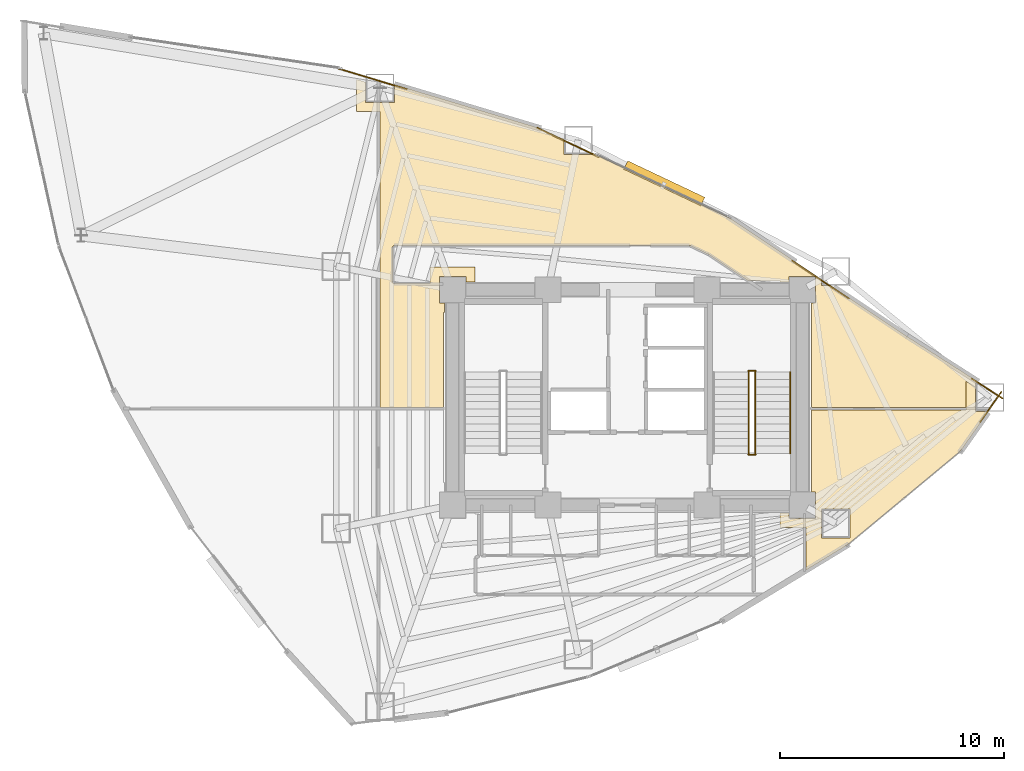
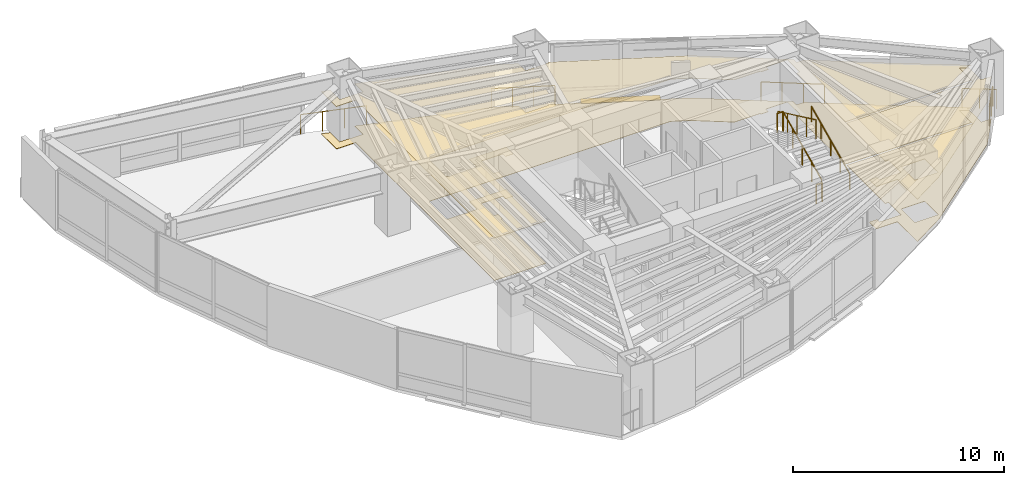
# One storey, part 23 of 23: 10 railings, 4 coverings, 1 shading device.
"""IFC4 building model written with IfcOpenShell, lengths in metres."""

from ifc_helpers import new_model, si_unit, direction, frame, origin, origin_2d, place, context, subcontext, project, spatial, polyline, rectangle, circle, outline, extrude, material, layer, layer_set, type_object, element, save


model = new_model("IFC4")

# Units and contexts
model_context = context("Model", 3, precision=1e-05, world=origin(), true_north=direction((0.0, 1.0)))
body_context = subcontext(model_context, "Body", "Model", "MODEL_VIEW")
ifc_project = project(units=[si_unit("LENGTHUNIT", "METRE"), si_unit("AREAUNIT", "SQUARE_METRE"), si_unit("VOLUMEUNIT", "CUBIC_METRE"), si_unit("PLANEANGLEUNIT", "RADIAN"), si_unit("MASSUNIT", "GRAM", prefix="KILO")], contexts=[model_context])

# Site, building, storey
site_placement = place(None, origin())
site = spatial("IfcSite", under=ifc_project, at=site_placement, CompositionType="ELEMENT")
building_placement = place(site_placement, origin())
building = spatial("IfcBuilding", under=site, at=building_placement, Name="Menara Vayukalpa", CompositionType="ELEMENT")
storey_placement = place(building_placement, frame((0.0, 0.0, 111.419921875)))
storey = spatial("IfcBuildingStorey", under=building, at=storey_placement, Name="L27", CompositionType="ELEMENT", Elevation=111.419921875)

# Coverings
ifc_material_1 = material(Name="Mineral Fibre Acoustic Ceiling Tile", Category="masonry")
ifc_layer_1 = layer(ifc_material_1, 0.02490234375)
ifc_layer_set_1 = layer_set([ifc_layer_1], Name="Mineral Fibre Acoustic Ceiling Tile")
covering_type_1 = type_object("IfcCoveringType", Name="COV-CLG1", PredefinedType="CEILING", material=ifc_layer_set_1)
covering_1_placement = place(storey_placement, frame((0.0, 0.0, 2.4501953125)))
element("IfcCovering", 1, at=covering_1_placement, inside=storey, type_object=covering_type_1, Name="L27 Executive Office Suite Acoustic Ceiling", PredefinedType="CEILING", context=body_context, shape_type="SweptSolid", body=[
    extrude(outline(polyline([(32.389892578125, 16.85009765625), (32.81005859375, 16.85009765625), (32.81005859375, 16.610107421875), (33.989990234375, 16.610107421875), (33.989990234375, 17.7900390625), (33.81005859375, 17.7900390625), (33.81005859375, 21.429931640625), (33.81005859375, 21.430908203125), (33.810302734375, 21.431884765625), (33.810302734375, 21.432861328125), (33.810791015625, 21.433837890625), (33.811279296875, 21.434814453125), (33.811767578125, 21.435546875), (33.812255859375, 21.436279296875), (33.81298828125, 21.43701171875), (33.813720703125, 21.437744140625), (33.814453125, 21.438232421875), (33.815185546875, 21.438720703125), (33.816162109375, 21.439208984375), (33.817138671875, 21.439697265625), (33.818115234375, 21.439697265625), (33.819091796875, 21.43994140625), (33.820068359375, 21.43994140625), (40.701904296875, 21.43994140625), (40.701904296875, 22.716796875), (41.121826171875, 22.44873046875), (41.121826171875, 21.360107421875), (41.6904296875, 21.360107421875), (40.461181640625, 19.6201171875), (40.46044921875, 19.619384765625), (40.4599609375, 19.618896484375), (40.459228515625, 19.618408203125), (35.380859375, 15.40673828125), (35.379638671875, 15.406005859375), (33.5751953125, 14.309814453125), (33.57421875, 14.309326171875), (33.573486328125, 14.308837890625), (33.572509765625, 14.30859375), (33.571533203125, 14.308349609375), (33.570556640625, 14.308349609375), (33.569580078125, 14.308349609375), (33.568603515625, 14.308349609375), (33.56787109375, 14.30859375), (33.56689453125, 14.308837890625), (33.56591796875, 14.30908203125), (33.565185546875, 14.3095703125), (33.564208984375, 14.31005859375), (33.5634765625, 14.310791015625), (33.562744140625, 14.311279296875), (33.562255859375, 14.31201171875), (33.5615234375, 14.312744140625), (33.56103515625, 14.313720703125), (33.560791015625, 14.314453125), (33.560302734375, 14.3154296875), (33.560302734375, 14.31640625), (33.56005859375, 14.3173828125), (33.56005859375, 14.318359375), (33.56005859375, 16.18994140625), (32.389892578125, 16.18994140625), (32.389892578125, 16.85009765625)]), holes=[polyline([(35.52685546875, 17.018310546875), (34.246826171875, 17.018310546875), (34.246826171875, 15.73828125), (35.52685546875, 15.73828125), (35.52685546875, 17.018310546875)])]), origin(), (0.0, 0.0, 1.0), 0.02490234375),
])
covering_2_placement = place(storey_placement, frame((0.0, 0.0, 2.4501953125)))
element("IfcCovering", 2, at=covering_2_placement, inside=storey, type_object=covering_type_1, Name="L27 Executive Office Suite Acoustic Ceiling", PredefinedType="CEILING", context=body_context, shape_type="SweptSolid", body=[
    extrude(outline(polyline([(40.701904296875, 20.93994140625), (40.701904296875, 21.56005859375), (33.820068359375, 21.56005859375), (33.819091796875, 21.56005859375), (33.818115234375, 21.560302734375), (33.817138671875, 21.560302734375), (33.816162109375, 21.560791015625), (33.815185546875, 21.561279296875), (33.814453125, 21.561767578125), (33.813720703125, 21.562255859375), (33.81298828125, 21.56298828125), (33.812255859375, 21.563720703125), (33.811767578125, 21.564453125), (33.811279296875, 21.565185546875), (33.810791015625, 21.566162109375), (33.810302734375, 21.567138671875), (33.810302734375, 21.568115234375), (33.81005859375, 21.569091796875), (33.81005859375, 21.570068359375), (33.81005859375, 26.2099609375), (33.989990234375, 26.2099609375), (33.989990234375, 27.389892578125), (32.81005859375, 27.389892578125), (32.81005859375, 27.14990234375), (32.389892578125, 27.14990234375), (32.389892578125, 27.2099609375), (30.968994140625, 27.2099609375), (30.968017578125, 27.2099609375), (30.96728515625, 27.210205078125), (30.96630859375, 27.21044921875), (30.96533203125, 27.210693359375), (30.96435546875, 27.211181640625), (30.96337890625, 27.211669921875), (29.236572265625, 28.364501953125), (29.22705078125, 28.369873046875), (28.396240234375, 28.76318359375), (28.390380859375, 28.765625), (28.384521484375, 28.767578125), (28.37841796875, 28.768798828125), (28.372314453125, 28.769775390625), (28.365966796875, 28.77001953125), (15.2001953125, 28.77001953125), (15.193115234375, 28.76953125), (15.186279296875, 28.768798828125), (15.1796875, 28.76708984375), (15.173095703125, 28.7646484375), (15.1669921875, 28.76171875), (15.1611328125, 28.75830078125), (15.155517578125, 28.75390625), (15.150390625, 28.74951171875), (15.14599609375, 28.744384765625), (15.141845703125, 28.73876953125), (15.13818359375, 28.73291015625), (15.13525390625, 28.726806640625), (15.133056640625, 28.72021484375), (15.13134765625, 28.713623046875), (15.13037109375, 28.706787109375), (15.1298828125, 28.69970703125), (15.1298828125, 27.140380859375), (15.13037109375, 27.13330078125), (15.13134765625, 27.126220703125), (15.133056640625, 27.11962890625), (15.13525390625, 27.11328125), (15.13818359375, 27.10693359375), (15.141845703125, 27.101318359375), (15.14599609375, 27.095458984375), (15.150390625, 27.090576171875), (15.155517578125, 27.0859375), (15.1611328125, 27.081787109375), (15.1669921875, 27.078125), (15.173095703125, 27.0751953125), (15.1796875, 27.072998046875), (15.186279296875, 27.0712890625), (15.193115234375, 27.0703125), (15.2001953125, 27.070068359375), (16.7900390625, 27.070068359375), (16.7900390625, 27.81005859375), (18.81005859375, 27.81005859375), (18.81005859375, 27.14990234375), (18.389892578125, 27.14990234375), (18.389892578125, 27.389892578125), (17.2099609375, 27.389892578125), (17.2099609375, 26.2099609375), (17.449951171875, 26.2099609375), (17.449951171875, 25.7900390625), (17.389892578125, 25.7900390625), (17.389892578125, 21.570068359375), (17.389892578125, 21.569091796875), (17.389892578125, 21.568115234375), (17.3896484375, 21.567138671875), (17.38916015625, 21.566162109375), (17.388916015625, 21.565185546875), (17.38818359375, 21.564453125), (17.3876953125, 21.563720703125), (17.38720703125, 21.56298828125), (17.38623046875, 21.562255859375), (17.385498046875, 21.561767578125), (17.384765625, 21.561279296875), (17.3837890625, 21.560791015625), (17.3828125, 21.560302734375), (17.382080078125, 21.560302734375), (17.381103515625, 21.56005859375), (17.3798828125, 21.56005859375), (14.570068359375, 21.56005859375), (14.569091796875, 21.56005859375), (14.568115234375, 21.560302734375), (14.567138671875, 21.560302734375), (14.566162109375, 21.560791015625), (14.565185546875, 21.561279296875), (14.564453125, 21.561767578125), (14.563720703125, 21.562255859375), (14.56298828125, 21.56298828125), (14.562255859375, 21.563720703125), (14.561767578125, 21.564453125), (14.561279296875, 21.565185546875), (14.560791015625, 21.566162109375), (14.560302734375, 21.567138671875), (14.560302734375, 21.568115234375), (14.56005859375, 21.569091796875), (14.56005859375, 21.570068359375), (14.56005859375, 34.7373046875), (13.509033203125, 34.7373046875), (13.509033203125, 36.178955078125), (13.92919921875, 36.052490234375), (13.92919921875, 35.157470703125), (15.208984375, 35.157470703125), (15.208984375, 35.94921875), (21.740966796875, 33.982666015625), (21.74169921875, 33.982421875), (21.742431640625, 33.982177734375), (22.768310546875, 33.49658203125), (22.768310546875, 32.827392578125), (24.048095703125, 32.827392578125), (24.048095703125, 32.890625), (30.155517578125, 29.999267578125), (30.156982421875, 29.99853515625), (34.246826171875, 27.268310546875), (34.246826171875, 26.981689453125), (34.67626953125, 26.981689453125), (38.0712890625, 24.71533203125), (38.072021484375, 24.71484375), (38.072265625, 24.714599609375), (41.32421875, 22.639892578125), (41.121826171875, 22.639892578125), (41.121826171875, 21.360107421875), (41.35986328125, 21.360107421875), (41.06298828125, 20.93994140625), (40.701904296875, 20.93994140625)])), origin(), (0.0, 0.0, 1.0), 0.02490234375),
])
ifc_material_2 = material(Name="Porcelain Stoneware Floor Tile", Category="masonry")
ifc_layer_2 = layer(ifc_material_2, 0.02001953125)
ifc_layer_set_2 = layer_set([ifc_layer_2], Name="Porcelain Stoneware Floor Tile")
covering_type_2 = type_object("IfcCoveringType", Name="COV-FLR1", PredefinedType="FLOORING", material=ifc_layer_set_2)
covering_3_placement = place(storey_placement, origin())
element("IfcCovering", 3, at=covering_3_placement, inside=storey, type_object=covering_type_2, Name="L27 Executive Office Suite Porcelain Flooring", PredefinedType="FLOORING", context=body_context, shape_type="SweptSolid", body=[
    extrude(outline(polyline([(32.389892578125, 16.85009765625), (32.81005859375, 16.85009765625), (32.81005859375, 16.610107421875), (33.989990234375, 16.610107421875), (33.989990234375, 17.7900390625), (33.81005859375, 17.7900390625), (33.81005859375, 21.429931640625), (33.81005859375, 21.430908203125), (33.810302734375, 21.431884765625), (33.810302734375, 21.432861328125), (33.810791015625, 21.433837890625), (33.811279296875, 21.434814453125), (33.811767578125, 21.435546875), (33.812255859375, 21.436279296875), (33.81298828125, 21.43701171875), (33.813720703125, 21.437744140625), (33.814453125, 21.438232421875), (33.815185546875, 21.438720703125), (33.816162109375, 21.439208984375), (33.817138671875, 21.439697265625), (33.818115234375, 21.439697265625), (33.819091796875, 21.43994140625), (33.820068359375, 21.43994140625), (40.701904296875, 21.43994140625), (40.701904296875, 22.716796875), (41.121826171875, 22.44873046875), (41.121826171875, 21.360107421875), (41.6904296875, 21.360107421875), (40.461181640625, 19.6201171875), (40.46044921875, 19.619384765625), (40.4599609375, 19.618896484375), (40.459228515625, 19.618408203125), (35.380859375, 15.40673828125), (35.379638671875, 15.406005859375), (33.5751953125, 14.309814453125), (33.57421875, 14.309326171875), (33.573486328125, 14.308837890625), (33.572509765625, 14.30859375), (33.571533203125, 14.308349609375), (33.570556640625, 14.308349609375), (33.569580078125, 14.308349609375), (33.568603515625, 14.308349609375), (33.56787109375, 14.30859375), (33.56689453125, 14.308837890625), (33.56591796875, 14.30908203125), (33.565185546875, 14.3095703125), (33.564208984375, 14.31005859375), (33.5634765625, 14.310791015625), (33.562744140625, 14.311279296875), (33.562255859375, 14.31201171875), (33.5615234375, 14.312744140625), (33.56103515625, 14.313720703125), (33.560791015625, 14.314453125), (33.560302734375, 14.3154296875), (33.560302734375, 14.31640625), (33.56005859375, 14.3173828125), (33.56005859375, 14.318359375), (33.56005859375, 16.18994140625), (32.389892578125, 16.18994140625), (32.389892578125, 16.85009765625)]), holes=[polyline([(35.52685546875, 17.018310546875), (34.246826171875, 17.018310546875), (34.246826171875, 15.73828125), (35.52685546875, 15.73828125), (35.52685546875, 17.018310546875)])]), origin(), (0.0, 0.0, 1.0), 0.02001953125),
])
covering_4_placement = place(storey_placement, origin())
element("IfcCovering", 4, at=covering_4_placement, inside=storey, type_object=covering_type_2, Name="L27 Executive Office Suite Porcelain Flooring", PredefinedType="FLOORING", context=body_context, shape_type="SweptSolid", body=[
    extrude(outline(polyline([(40.701904296875, 20.93994140625), (40.701904296875, 21.56005859375), (33.820068359375, 21.56005859375), (33.819091796875, 21.56005859375), (33.818115234375, 21.560302734375), (33.817138671875, 21.560302734375), (33.816162109375, 21.560791015625), (33.815185546875, 21.561279296875), (33.814453125, 21.561767578125), (33.813720703125, 21.562255859375), (33.81298828125, 21.56298828125), (33.812255859375, 21.563720703125), (33.811767578125, 21.564453125), (33.811279296875, 21.565185546875), (33.810791015625, 21.566162109375), (33.810302734375, 21.567138671875), (33.810302734375, 21.568115234375), (33.81005859375, 21.569091796875), (33.81005859375, 21.570068359375), (33.81005859375, 26.2099609375), (33.989990234375, 26.2099609375), (33.989990234375, 27.389892578125), (32.81005859375, 27.389892578125), (32.81005859375, 27.14990234375), (32.389892578125, 27.14990234375), (32.389892578125, 27.2099609375), (30.968994140625, 27.2099609375), (30.968017578125, 27.2099609375), (30.96728515625, 27.210205078125), (30.96630859375, 27.21044921875), (30.96533203125, 27.210693359375), (30.96435546875, 27.211181640625), (30.96337890625, 27.211669921875), (29.236572265625, 28.364501953125), (29.22705078125, 28.369873046875), (28.396240234375, 28.76318359375), (28.390380859375, 28.765625), (28.384521484375, 28.767578125), (28.37841796875, 28.768798828125), (28.372314453125, 28.769775390625), (28.365966796875, 28.77001953125), (15.2001953125, 28.77001953125), (15.193115234375, 28.76953125), (15.186279296875, 28.768798828125), (15.1796875, 28.76708984375), (15.173095703125, 28.7646484375), (15.1669921875, 28.76171875), (15.1611328125, 28.75830078125), (15.155517578125, 28.75390625), (15.150390625, 28.74951171875), (15.14599609375, 28.744384765625), (15.141845703125, 28.73876953125), (15.13818359375, 28.73291015625), (15.13525390625, 28.726806640625), (15.133056640625, 28.72021484375), (15.13134765625, 28.713623046875), (15.13037109375, 28.706787109375), (15.1298828125, 28.69970703125), (15.1298828125, 27.140380859375), (15.13037109375, 27.13330078125), (15.13134765625, 27.126220703125), (15.133056640625, 27.11962890625), (15.13525390625, 27.11328125), (15.13818359375, 27.10693359375), (15.141845703125, 27.101318359375), (15.14599609375, 27.095458984375), (15.150390625, 27.090576171875), (15.155517578125, 27.0859375), (15.1611328125, 27.081787109375), (15.1669921875, 27.078125), (15.173095703125, 27.0751953125), (15.1796875, 27.072998046875), (15.186279296875, 27.0712890625), (15.193115234375, 27.0703125), (15.2001953125, 27.070068359375), (16.7900390625, 27.070068359375), (16.7900390625, 27.81005859375), (18.81005859375, 27.81005859375), (18.81005859375, 27.14990234375), (18.389892578125, 27.14990234375), (18.389892578125, 27.389892578125), (17.2099609375, 27.389892578125), (17.2099609375, 26.2099609375), (17.449951171875, 26.2099609375), (17.449951171875, 25.7900390625), (17.389892578125, 25.7900390625), (17.389892578125, 21.570068359375), (17.389892578125, 21.569091796875), (17.389892578125, 21.568115234375), (17.3896484375, 21.567138671875), (17.38916015625, 21.566162109375), (17.388916015625, 21.565185546875), (17.38818359375, 21.564453125), (17.3876953125, 21.563720703125), (17.38720703125, 21.56298828125), (17.38623046875, 21.562255859375), (17.385498046875, 21.561767578125), (17.384765625, 21.561279296875), (17.3837890625, 21.560791015625), (17.3828125, 21.560302734375), (17.382080078125, 21.560302734375), (17.381103515625, 21.56005859375), (17.3798828125, 21.56005859375), (14.570068359375, 21.56005859375), (14.569091796875, 21.56005859375), (14.568115234375, 21.560302734375), (14.567138671875, 21.560302734375), (14.566162109375, 21.560791015625), (14.565185546875, 21.561279296875), (14.564453125, 21.561767578125), (14.563720703125, 21.562255859375), (14.56298828125, 21.56298828125), (14.562255859375, 21.563720703125), (14.561767578125, 21.564453125), (14.561279296875, 21.565185546875), (14.560791015625, 21.566162109375), (14.560302734375, 21.567138671875), (14.560302734375, 21.568115234375), (14.56005859375, 21.569091796875), (14.56005859375, 21.570068359375), (14.56005859375, 34.7373046875), (13.509033203125, 34.7373046875), (13.509033203125, 36.178955078125), (13.92919921875, 36.052490234375), (13.92919921875, 35.157470703125), (15.208984375, 35.157470703125), (15.208984375, 35.94921875), (21.740966796875, 33.982666015625), (21.74169921875, 33.982421875), (21.742431640625, 33.982177734375), (22.768310546875, 33.49658203125), (22.768310546875, 32.827392578125), (24.048095703125, 32.827392578125), (24.048095703125, 32.890625), (30.155517578125, 29.999267578125), (30.156982421875, 29.99853515625), (34.246826171875, 27.268310546875), (34.246826171875, 26.981689453125), (34.67626953125, 26.981689453125), (38.0712890625, 24.71533203125), (38.072021484375, 24.71484375), (38.072265625, 24.714599609375), (41.32421875, 22.639892578125), (41.121826171875, 22.639892578125), (41.121826171875, 21.360107421875), (41.35986328125, 21.360107421875), (41.06298828125, 20.93994140625), (40.701904296875, 20.93994140625)])), origin(), (0.0, 0.0, 1.0), 0.02001953125),
])

# Railings
ifc_material_3 = material(Name="Laminated Glass and Stainless Steel 316 Guardrail", Category="steel")
railing_type_1 = type_object("IfcRailingType", Name="RLG-EXT115", PredefinedType="GUARDRAIL", material=ifc_material_3)
railing_1_placement = place(storey_placement, frame((41.322509765625, 20.908447265625, 0.0)))
element("IfcRailing", 5, at=railing_1_placement, inside=storey, type_object=railing_type_1, Name="L27 Column Corner Spandrel Guardrail 01-1", PredefinedType="GUARDRAIL", context=body_context, shape_type="SweptSolid", body=[
    extrude(circle(Radius=0.02392578125, at=origin_2d()), frame((0.0, 0.0, 1.1259765625), z_axis=(0.577005689329, 0.816740126651, 0.0), x_axis=(-0.816740126651, 0.577005689329, 0.0)), (0.0, 0.0, 1.0), 1.634521484375),
    extrude(circle(Radius=0.02099609375, at=origin_2d()), origin(), (0.0, 0.0, 1.0), 1.101806640625),
    extrude(circle(Radius=0.02099609375, at=origin_2d()), frame((0.4716796875, 0.66748046875, 0.0)), (0.0, 0.0, 1.0), 1.101806640625),
    extrude(circle(Radius=0.02099609375, at=origin_2d()), frame((0.943115234375, 1.3349609375, 0.0)), (0.0, 0.0, 1.0), 1.101806640625),
])
railing_2_placement = place(storey_placement, frame((42.322265625, 21.955810546875, 0.0)))
element("IfcRailing", 6, at=railing_2_placement, inside=storey, type_object=railing_type_1, Name="L27 Column Corner Spandrel Guardrail 02-1", PredefinedType="GUARDRAIL", context=body_context, shape_type="SweptSolid", body=[
    extrude(circle(Radius=0.02392578125, at=origin_2d()), frame((0.0, 0.0, 1.1259765625), z_axis=(-0.843072907212, 0.537799287025, 0.0), x_axis=(-0.537799287025, -0.843072907212, 0.0)), (0.0, 0.0, 1.0), 1.64111328125),
    extrude(circle(Radius=0.02099609375, at=origin_2d()), origin(), (0.0, 0.0, 1.0), 1.101806640625),
    extrude(circle(Radius=0.02099609375, at=origin_2d()), frame((-0.69189453125, 0.44140625, 0.0)), (0.0, 0.0, 1.0), 1.101806640625),
    extrude(circle(Radius=0.02099609375, at=origin_2d()), frame((-1.383544921875, 0.882568359375, 0.0)), (0.0, 0.0, 1.0), 1.101806640625),
])
railing_3_placement = place(storey_placement, frame((35.45654296875, 26.412841796875, 0.0)))
element("IfcRailing", 7, at=railing_3_placement, inside=storey, type_object=railing_type_1, Name="L27 Column Corner Spandrel Guardrail 03-1", PredefinedType="GUARDRAIL", context=body_context, shape_type="SweptSolid", body=[
    extrude(circle(Radius=0.02392578125, at=origin_2d()), frame((0.0, 0.0, 1.1259765625), z_axis=(-0.831751720717, 0.555147795713, 0.0), x_axis=(-0.555147795713, -0.831751720717, 0.0)), (0.0, 0.0, 1.0), 3.020263671875),
    extrude(circle(Radius=0.02099609375, at=origin_2d()), origin(), (0.0, 0.0, 1.0), 1.101806640625),
    extrude(circle(Radius=0.02099609375, at=origin_2d()), frame((-0.83740234375, 0.558837890625, 0.0)), (0.0, 0.0, 1.0), 1.101806640625),
    extrude(circle(Radius=0.02099609375, at=origin_2d()), frame((-1.6748046875, 1.117919921875, 0.0)), (0.0, 0.0, 1.0), 1.101806640625),
    extrude(circle(Radius=0.02099609375, at=origin_2d()), frame((-2.51220703125, 1.6767578125, 0.0)), (0.0, 0.0, 1.0), 1.101806640625),
])
railing_4_placement = place(storey_placement, frame((24.320068359375, 32.717529296875, 0.0)))
element("IfcRailing", 8, at=railing_4_placement, inside=storey, type_object=railing_type_1, Name="L27 Column Corner Spandrel Guardrail 04-1", PredefinedType="GUARDRAIL", context=body_context, shape_type="SweptSolid", body=[
    extrude(circle(Radius=0.02392578125, at=origin_2d()), frame((0.0, 0.0, 1.1259765625), z_axis=(-0.903818151979, 0.427916753765, 0.0), x_axis=(-0.427916753765, -0.903818151979, 0.0)), (0.0, 0.0, 1.0), 3.032470703125),
    extrude(circle(Radius=0.02099609375, at=origin_2d()), origin(), (0.0, 0.0, 1.0), 1.101806640625),
    extrude(circle(Radius=0.02099609375, at=origin_2d()), frame((-0.91357421875, 0.4326171875, 0.0)), (0.0, 0.0, 1.0), 1.101806640625),
    extrude(circle(Radius=0.02099609375, at=origin_2d()), frame((-1.8271484375, 0.864990234375, 0.0)), (0.0, 0.0, 1.0), 1.101806640625),
    extrude(circle(Radius=0.02099609375, at=origin_2d()), frame((-2.74072265625, 1.297607421875, 0.0)), (0.0, 0.0, 1.0), 1.101806640625),
])
railing_5_placement = place(storey_placement, frame((15.7490234375, 35.744873046875, 0.0)))
element("IfcRailing", 9, at=railing_5_placement, inside=storey, type_object=railing_type_1, Name="L27 Column Corner Spandrel Guardrail 05-1", PredefinedType="GUARDRAIL", context=body_context, shape_type="SweptSolid", body=[
    extrude(circle(Radius=0.02392578125, at=origin_2d()), frame((0.0, 0.0, 1.1259765625), z_axis=(-0.957550754701, 0.288264725854, 0.0), x_axis=(-0.288264725854, -0.957550754701, 0.0)), (0.0, 0.0, 1.0), 3.224365234375),
    extrude(circle(Radius=0.02099609375, at=origin_2d()), origin(), (0.0, 0.0, 1.0), 1.101806640625),
    extrude(circle(Radius=0.02099609375, at=origin_2d()), frame((-1.029052734375, 0.309814453125, 0.0)), (0.0, 0.0, 1.0), 1.101806640625),
    extrude(circle(Radius=0.02099609375, at=origin_2d()), frame((-2.058349609375, 0.61962890625, 0.0)), (0.0, 0.0, 1.0), 1.101806640625),
    extrude(circle(Radius=0.02099609375, at=origin_2d()), frame((-3.08740234375, 0.929443359375, 0.0)), (0.0, 0.0, 1.0), 1.101806640625),
])
ifc_material_4 = material(Name="Powder-Coated Galvanised Steel Guardrail", Category="steel")
railing_type_2 = type_object("IfcRailingType", Name="RLG-STG110", PredefinedType="GUARDRAIL", material=ifc_material_4)
railing_6_placement = place(storey_placement, frame((31.300048828125, 19.5, 0.155029296875)))
element("IfcRailing", 10, at=railing_6_placement, inside=storey, type_object=railing_type_2, Name="L27 ST-2 stair guard 1", PredefinedType="GUARDRAIL", context=body_context, shape_type="SweptSolid", body=[
    extrude(circle(Radius=0.02392578125, at=origin_2d()), frame((0.0, 0.0, 1.09619140625), z_axis=(0.0, 0.90511648382, 0.425163675209), x_axis=(-1.0, 0.0, 0.0)), (0.0, 0.0, 1.0), 4.010498046875),
    extrude(circle(Radius=0.02099609375, at=origin_2d()), origin(), (0.0, 0.0, 1.0), 1.072021484375),
    extrude(circle(Radius=0.02099609375, at=origin_2d()), frame((0.0, 0.907470703125, 0.42626953125)), (0.0, 0.0, 1.0), 1.072021484375),
    extrude(circle(Radius=0.02099609375, at=origin_2d()), frame((0.0, 1.81494140625, 0.8525390625)), (0.0, 0.0, 1.0), 1.072021484375),
    extrude(circle(Radius=0.02099609375, at=origin_2d()), frame((0.0, 2.722412109375, 1.27880859375)), (0.0, 0.0, 1.0), 1.072021484375),
    extrude(circle(Radius=0.02099609375, at=origin_2d()), frame((0.0, 3.6298828125, 1.705078125)), (0.0, 0.0, 1.0), 1.072021484375),
])
railing_7_placement = place(storey_placement, frame((31.31005859375, 23.179931640625, 1.860107421875)))
element("IfcRailing", 11, at=railing_7_placement, inside=storey, type_object=railing_type_2, Name="L27 ST-2 stair guard 2", PredefinedType="GUARDRAIL", context=body_context, shape_type="SweptSolid", body=[
    extrude(circle(Radius=0.02392578125, at=origin_2d()), frame((0.0, 0.0, 1.09619140625), z_axis=(-1.0, 0.0, 0.0), x_axis=(0.0, -1.0, 0.0)), (0.0, 0.0, 1.0), 0.320068359375),
    extrude(circle(Radius=0.02099609375, at=origin_2d()), origin(), (0.0, 0.0, 1.0), 1.072021484375),
    extrude(circle(Radius=0.02099609375, at=origin_2d()), frame((-0.320068359375, 0.0, 0.0)), (0.0, 0.0, 1.0), 1.072021484375),
])
railing_8_placement = place(storey_placement, frame((31.0, 23.1298828125, 2.01513671875)))
element("IfcRailing", 12, at=railing_8_placement, inside=storey, type_object=railing_type_2, Name="L27 ST-2 stair guard 3", PredefinedType="GUARDRAIL", context=body_context, shape_type="SweptSolid", body=[
    extrude(circle(Radius=0.02392578125, at=origin_2d()), frame((0.0, 0.0, 1.09619140625), z_axis=(0.0, -0.90513990983, 0.425113800803), x_axis=(1.0, 0.0, 0.0)), (0.0, 0.0, 1.0), 4.01025390625),
    extrude(circle(Radius=0.02099609375, at=origin_2d()), origin(), (0.0, 0.0, 1.0), 1.072021484375),
    extrude(circle(Radius=0.02099609375, at=origin_2d()), frame((0.0, -0.907470703125, 0.42626953125)), (0.0, 0.0, 1.0), 1.072021484375),
    extrude(circle(Radius=0.02099609375, at=origin_2d()), frame((0.0, -1.81494140625, 0.8525390625)), (0.0, 0.0, 1.0), 1.072021484375),
    extrude(circle(Radius=0.02099609375, at=origin_2d()), frame((0.0, -2.722412109375, 1.278564453125)), (0.0, 0.0, 1.0), 1.072021484375),
    extrude(circle(Radius=0.02099609375, at=origin_2d()), frame((0.0, -3.6298828125, 1.704833984375)), (0.0, 0.0, 1.0), 1.072021484375),
])
railing_9_placement = place(storey_placement, frame((31.31005859375, 19.449951171875, 0.0)))
element("IfcRailing", 13, at=railing_9_placement, inside=storey, type_object=railing_type_2, Name="L27 ST-2 stair guard 4", PredefinedType="GUARDRAIL", context=body_context, shape_type="SweptSolid", body=[
    extrude(circle(Radius=0.02392578125, at=origin_2d()), frame((0.0, 0.0, 1.09619140625), z_axis=(-1.0, 0.0, 0.0), x_axis=(0.0, -1.0, 0.0)), (0.0, 0.0, 1.0), 0.320068359375),
    extrude(circle(Radius=0.02099609375, at=origin_2d()), origin(), (0.0, 0.0, 1.0), 1.072021484375),
    extrude(circle(Radius=0.02099609375, at=origin_2d()), frame((-0.320068359375, 0.0, 0.0)), (0.0, 0.0, 1.0), 1.072021484375),
])
ifc_material_5 = material(Name="Stainless Steel 316 Tubular Handrail", Category="steel")
railing_type_3 = type_object("IfcRailingType", Name="RLG-STH090", PredefinedType="HANDRAIL", material=ifc_material_5)
railing_10_placement = place(storey_placement, frame((32.85009765625, 19.5, 0.155029296875)))
element("IfcRailing", 14, at=railing_10_placement, inside=storey, type_object=railing_type_3, Name="L27 ST-2 stair handrail 1", PredefinedType="HANDRAIL", context=body_context, shape_type="SweptSolid", body=[
    extrude(circle(Radius=0.02392578125, at=origin_2d()), frame((0.0, 0.0, 0.8759765625), z_axis=(0.0, 0.90511648382, 0.425163675209), x_axis=(-1.0, 0.0, 0.0)), (0.0, 0.0, 1.0), 4.010498046875),
    extrude(circle(Radius=0.02099609375, at=origin_2d()), origin(), (0.0, 0.0, 1.0), 0.851806640625),
    extrude(circle(Radius=0.02099609375, at=origin_2d()), frame((0.0, 0.907470703125, 0.42626953125)), (0.0, 0.0, 1.0), 0.851806640625),
    extrude(circle(Radius=0.02099609375, at=origin_2d()), frame((0.0, 1.81494140625, 0.8525390625)), (0.0, 0.0, 1.0), 0.851806640625),
    extrude(circle(Radius=0.02099609375, at=origin_2d()), frame((0.0, 2.722412109375, 1.27880859375)), (0.0, 0.0, 1.0), 0.851806640625),
    extrude(circle(Radius=0.02099609375, at=origin_2d()), frame((0.0, 3.6298828125, 1.705078125)), (0.0, 0.0, 1.0), 0.851806640625),
])

# Shading device
ifc_material_6 = material(Name="Glazed Terracotta Ceramic Baguette Extrusion", Category="masonry")
ifc_layer_3 = layer(ifc_material_6, 0.1201171875)
ifc_layer_set_3 = layer_set([ifc_layer_3], Name="Glazed Terracotta Ceramic Baguette Extrusion")
shading_device_type = type_object("IfcShadingDeviceType", Name="SHD-SS1", PredefinedType="USERDEFINED", material=ifc_layer_set_3)
shading_device_placement = place(storey_placement, frame((27.239013671875, 31.5458984375, -0.10009765625), z_axis=(0.0, 0.0, 1.0), x_axis=(-0.90383625926, 0.427878506643, 0.0)))
element("IfcShadingDevice", 15, at=shading_device_placement, inside=storey, type_object=shading_device_type, Name="L27 Horizontal Terracotta Sunshade Band 05", ObjectType="SUNSHADE", PredefinedType="USERDEFINED", context=body_context, shape_type="SweptSolid", body=[
    extrude(rectangle(XDim=3.800048828125, YDim=0.419921875, at=origin_2d()), origin(), (0.0, 0.0, 1.0), 0.1201171875),
])

save(model, "model.ifc")
